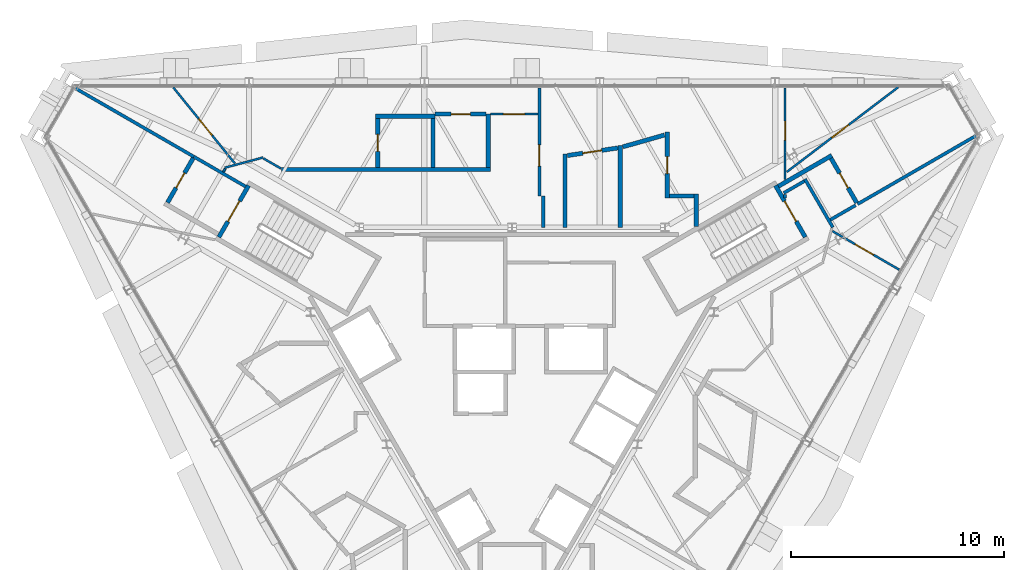
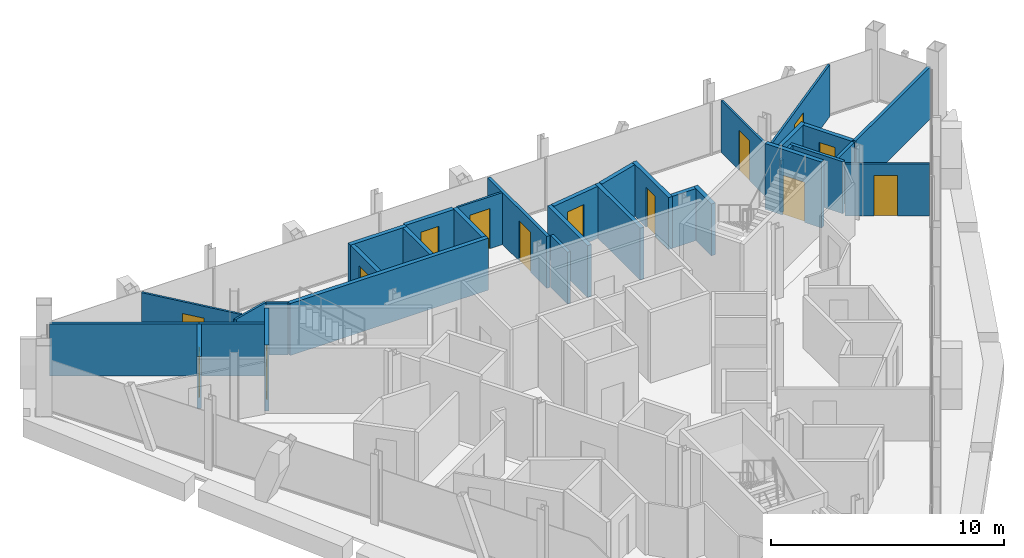
# One storey, part 11 of 14: 35 walls, 14 doors, 14 openings.
"""IFC4 building model written with IfcOpenShell, lengths in metres."""

import ifcopenshell
import ifcopenshell.guid

model = None  # the IFC model being written
_history = None  # IfcOwnerHistory: only IFC2X3 demands one
_inside = {}  # id of a spatial element -> (the spatial element, [elements in it])
_under = {}  # id of a project, library or spatial element -> (it, [spatial elements below it])
_declared = {}  # id of a project -> (the project, [libraries it declares])
_typed = {}  # id of a type object -> (the type object, [elements of that type])
_made_of = {}  # id of a material, layer set ... -> (it, [elements and type objects made of it])


def new_model(schema):
    """Start an empty IFC model of exactly this schema.

    Asked for "IFC4X3", IfcOpenShell would pick the latest addendum, in which some entities
    have other attributes; the version numbers below select the first issue.
    IFC2X3 requires an IfcOwnerHistory on every rooted entity: one is made here for all.
    """
    global model, _history
    if schema == "IFC4X3":
        model = ifcopenshell.file(schema_version=(4, 3, 0, 0))
    else:
        model = ifcopenshell.file(schema=schema)
    _inside.clear()
    _under.clear()
    _declared.clear()
    _typed.clear()
    _made_of.clear()
    _history = None
    if model.schema == "IFC2X3":
        org = make("IfcOrganization", Name="unknown")
        user = make(
            "IfcPersonAndOrganization",
            ThePerson=make("IfcPerson", FamilyName="unknown"),
            TheOrganization=org,
        )
        app = make(
            "IfcApplication",
            ApplicationDeveloper=org,
            Version="unknown",
            ApplicationFullName="unknown",
            ApplicationIdentifier="unknown",
        )
        _history = make(
            "IfcOwnerHistory",
            OwningUser=user,
            OwningApplication=app,
            ChangeAction="ADDED",
            CreationDate=0,
        )
    return model


def make(cls, **values):
    """One entity of the class cls with the attributes given. An attribute that is None is left unset."""
    return model.create_entity(
        cls, **{name: value for name, value in values.items() if value is not None}
    )


def rooted(cls, **values):
    """An entity with a GlobalId (a new one), such as an element, a storey or a relation."""
    return make(cls, GlobalId=ifcopenshell.guid.new(), OwnerHistory=_history, **values)


def si_unit(unit_type, name, prefix=None):
    """IfcSIUnit, for example si_unit("LENGTHUNIT", "METRE", prefix="MILLI")."""
    return make("IfcSIUnit", UnitType=unit_type, Prefix=prefix, Name=name)


def assignment(units):
    """IfcUnitAssignment: the units of a project."""
    return None if units is None else make("IfcUnitAssignment", Units=units)


def point(xyz):
    """IfcCartesianPoint."""
    return None if xyz is None else make("IfcCartesianPoint", Coordinates=xyz)


def direction(xyz):
    """IfcDirection."""
    return None if xyz is None else make("IfcDirection", DirectionRatios=xyz)


def frame(location, z_axis=None, x_axis=None):
    """IfcAxis2Placement3D, a coordinate frame: its origin and axes. An axis left out is left unset."""
    return make(
        "IfcAxis2Placement3D",
        Location=point(location),
        Axis=direction(z_axis),
        RefDirection=direction(x_axis),
    )


def frame_2d(location, x_axis=None):
    """IfcAxis2Placement2D, a coordinate frame in the plane: its origin and x axis."""
    return make(
        "IfcAxis2Placement2D", Location=point(location), RefDirection=direction(x_axis)
    )


def origin():
    """The frame at (0, 0, 0) with its axes left unset."""
    return frame((0.0, 0.0, 0.0))


def place(relative_to, where):
    """IfcLocalPlacement: puts the frame where relative to a parent placement (None: the world)."""
    return make(
        "IfcLocalPlacement", PlacementRelTo=relative_to, RelativePlacement=where
    )


def context(
    kind, dimensions, precision=None, world=None, true_north=None, identifier=None
):
    """IfcGeometricRepresentationContext, for example the 3D "Model" context."""
    return make(
        "IfcGeometricRepresentationContext",
        ContextIdentifier=identifier,
        ContextType=kind,
        CoordinateSpaceDimension=dimensions,
        Precision=precision,
        WorldCoordinateSystem=world,
        TrueNorth=true_north,
    )


def subcontext(parent, identifier, kind, view, scale=None):
    """IfcGeometricRepresentationSubContext, for example "Body" below "Model"."""
    return make(
        "IfcGeometricRepresentationSubContext",
        ContextIdentifier=identifier,
        ContextType=kind,
        ParentContext=parent,
        TargetScale=scale,
        TargetView=view,
    )


def project(units=None, contexts=None):
    """IfcProject with its units and contexts."""
    return rooted(
        "IfcProject",
        Name="project",
        RepresentationContexts=contexts,
        UnitsInContext=assignment(units),
    )


def spatial(cls, under=None, at=None, **own):
    """A site, building, storey or space (cls), placed at a placement, below another one or the project."""
    s = rooted(cls, ObjectPlacement=at, **own)
    if under is not None:
        _under.setdefault(under.id(), (under, []))[1].append(s)
    return s


def profile(cls, at=None, kind="AREA", **sizes):
    """A parametric profile (cls). Its sizes go by their IFC names, for example OverallWidth=200.0."""
    return make(cls, ProfileType=kind, Position=at, **sizes)


def rectangle(**sizes):
    """IfcRectangleProfileDef."""
    return profile("IfcRectangleProfileDef", **sizes)


def extrude(swept, where, along, depth):
    """IfcExtrudedAreaSolid: the profile swept, set in the frame where, extruded along a direction by depth."""
    return make(
        "IfcExtrudedAreaSolid",
        SweptArea=swept,
        Position=where,
        ExtrudedDirection=direction(along),
        Depth=depth,
    )


def shape(context_of_items, identifier, shape_type, items):
    """IfcShapeRepresentation: the items that make up one representation, for example the "Body"."""
    return make(
        "IfcShapeRepresentation",
        ContextOfItems=context_of_items,
        RepresentationIdentifier=identifier,
        RepresentationType=shape_type,
        Items=items,
    )


def material(Name=None, Category=None):
    """IfcMaterial."""
    return make("IfcMaterial", Name=Name, Category=Category)


def layer(
    of_material, thickness, ventilated=None, Name=None, Category=None, Priority=None
):
    """IfcMaterialLayer: one layer of a wall or slab, of a material (None: an air gap)."""
    return make(
        "IfcMaterialLayer",
        Material=of_material,
        LayerThickness=thickness,
        IsVentilated=ventilated,
        Name=Name,
        Category=Category,
        Priority=Priority,
    )


def layer_set(layers, Name=None):
    """IfcMaterialLayerSet."""
    return make("IfcMaterialLayerSet", MaterialLayers=layers, LayerSetName=Name)


def made_of(thing, what):
    """Note that an element or type object is made of a material, layer set ...; save() writes the relation."""
    if what is not None:
        _made_of.setdefault(what.id(), (what, []))[1].append(thing)
    return thing


def type_object(cls, material=None, **own):
    """A type object (cls), such as IfcWallType, which elements share."""
    return made_of(rooted(cls, **own), material)


def element(
    cls,
    number,
    at=None,
    inside=None,
    cuts=None,
    type_object=None,
    material=None,
    context=None,
    identifier="Body",
    shape_type=None,
    held_by="IfcProductDefinitionShape",
    body=None,
    shapes=None,
    **own,
):
    """One element of the class cls, such as IfcWall. Its Tag is "e" and its number.

    at: its placement. inside: the storey or other place that contains it. cuts: it is an
    opening in that element (IfcRelVoidsElement). A single representation is given by context,
    identifier, shape_type and body (its items); several are given by shapes. held_by: the class
    of the entity that holds the representations. save() writes the other relations.
    """
    e = rooted(cls, Tag="e%d" % number, ObjectPlacement=at, **own)
    if body is not None:
        shapes = [shape(context, identifier, shape_type, body)]
    if shapes is not None:
        e.Representation = make(held_by, Representations=shapes)
    if inside is not None:
        _inside.setdefault(inside.id(), (inside, []))[1].append(e)
    if cuts is not None:
        rooted(
            "IfcRelVoidsElement", RelatingBuildingElement=cuts, RelatedOpeningElement=e
        )
    if type_object is not None:
        _typed.setdefault(type_object.id(), (type_object, []))[1].append(e)
    return made_of(e, material)


def fill(opening, filler):
    """IfcRelFillsElement: the door or window that sits in an opening."""
    return rooted(
        "IfcRelFillsElement",
        RelatingOpeningElement=opening,
        RelatedBuildingElement=filler,
    )


def aggregate(whole, parts):
    """IfcRelAggregates: a whole, such as a stair, and the parts it consists of."""
    return rooted("IfcRelAggregates", RelatingObject=whole, RelatedObjects=parts)


def save(model, path):
    """Write the relations noted so far, then the file.

    IfcRelAggregates (storeys below a building ...), IfcRelContainedInSpatialStructure (elements
    in a storey), IfcRelDefinesByType, IfcRelAssociatesMaterial and IfcRelDeclares: one each for
    every whole, place, type object, material and project.
    """
    for whole, parts in _under.values():
        aggregate(whole, parts)
    for where, things in _inside.values():
        rooted(
            "IfcRelContainedInSpatialStructure",
            RelatedElements=things,
            RelatingStructure=where,
        )
    for kind, things in _typed.values():
        rooted("IfcRelDefinesByType", RelatedObjects=things, RelatingType=kind)
    for what, things in _made_of.values():
        rooted("IfcRelAssociatesMaterial", RelatedObjects=things, RelatingMaterial=what)
    for by, libraries in _declared.values():
        rooted("IfcRelDeclares", RelatingContext=by, RelatedDefinitions=libraries)
    model.write(path)


model = new_model("IFC4")

# Units and contexts
model_context = context("Model", 3, precision=1e-05, world=origin(), true_north=direction((0.0, 1.0)))
body_context = subcontext(model_context, "Body", "Model", "MODEL_VIEW")
ifc_project = project(units=[si_unit("LENGTHUNIT", "METRE"), si_unit("AREAUNIT", "SQUARE_METRE"), si_unit("VOLUMEUNIT", "CUBIC_METRE"), si_unit("PLANEANGLEUNIT", "RADIAN"), si_unit("MASSUNIT", "GRAM", prefix="KILO")], contexts=[model_context])

# Site, building, storey
site_placement = place(None, origin())
site = spatial("IfcSite", under=ifc_project, at=site_placement, CompositionType="ELEMENT")
building_placement = place(site_placement, origin())
building = spatial("IfcBuilding", under=site, at=building_placement, Name="Verrane Prism Tower", CompositionType="ELEMENT")
storey_placement = place(building_placement, frame((0.0, 0.0, 293.60009765625)))
storey = spatial("IfcBuildingStorey", under=building, at=storey_placement, Name="L74", CompositionType="ELEMENT", Elevation=293.60009765625)

# Wall, opening, door
ifc_material_1 = material(Name="Concrete C40/50", Category="concrete")
ifc_layer_1 = layer(ifc_material_1, 0.199951171875)
ifc_layer_set_1 = layer_set([ifc_layer_1], Name="CW-200 stair core wall concrete C40/50 3 h")
wall_type_1 = type_object("IfcWallType", Name="CW-200 stair core wall concrete C40/50 3 h", PredefinedType="PARTITIONING", material=ifc_layer_set_1)
wall_1_placement = place(storey_placement, frame((13.777099609375, 6.337646484375, 0.0), z_axis=(0.0, 0.0, 1.0), x_axis=(-0.500049511043, 0.865996816683, 0.0)))
wall_1 = element("IfcWall", 1, at=wall_1_placement, inside=storey, type_object=wall_type_1, Name="Stair 1 enclosure wall", PredefinedType="PARTITIONING", context=body_context, shape_type="SweptSolid", body=[
    extrude(rectangle(XDim=2.800048828125, YDim=0.199951171875, at=frame_2d((1.39990234375, 0.0))), origin(), (0.0, 0.0, 1.0), 3.449951171875),
])
opening_1_placement = place(wall_1_placement, frame((0.849853515625, 0.0, 0.0)))
opening_1 = element("IfcOpeningElement", 2, at=opening_1_placement, cuts=wall_1, Name="Opening D72500", PredefinedType="OPENING", context=body_context, shape_type="SweptSolid", body=[
    extrude(rectangle(XDim=1.10009765625, YDim=2.10009765625, at=frame_2d((0.550048828125, 1.050048828125))), frame((0.0, 0.10986328125, 0.0), z_axis=(0.0, -1.0, 0.0), x_axis=(1.0, 0.0, 0.0)), (0.0, 0.0, 1.0), 0.219970703125),
])
ifc_material_2 = material(Name="Timber veneered door leaf", Category="wood")
door_type_1 = type_object("IfcDoorType", Name="DR-1100x2100 FD90 single leaf stair", OperationType="NOTDEFINED", PredefinedType="DOOR", material=ifc_material_2)
door_1_placement = place(opening_1_placement, origin())
door_1 = element("IfcDoor", 3, at=door_1_placement, inside=storey, type_object=door_type_1, Name="Stair 1 door", OperationType="SINGLE_SWING_LEFT", OverallHeight=2.10009765625, OverallWidth=1.10009765625, PredefinedType="DOOR", context=body_context, shape_type="SweptSolid", body=[
    extrude(rectangle(XDim=1.10009765625, YDim=2.10009765625, at=frame_2d((0.550048828125, 1.050048828125))), frame((0.0, 0.02490234375, 0.0), z_axis=(0.0, -1.0, 0.0), x_axis=(1.0, 0.0, 0.0)), (0.0, 0.0, 1.0), 0.050048828125),
])
fill(opening_1, door_1)

wall_2_placement = place(storey_placement, frame((-12.376953125, 8.762451171875, 0.0), z_axis=(0.0, 0.0, 1.0), x_axis=(-0.500049511043, -0.865996816683, 0.0)))
wall_2 = element("IfcWall", 4, at=wall_2_placement, inside=storey, type_object=wall_type_1, Name="Stair 2 enclosure wall", PredefinedType="PARTITIONING", context=body_context, shape_type="SweptSolid", body=[
    extrude(rectangle(XDim=2.800048828125, YDim=0.199951171875, at=frame_2d((1.39990234375, 0.0))), origin(), (0.0, 0.0, 1.0), 3.449951171875),
])
opening_2_placement = place(wall_2_placement, frame((0.849853515625, 0.0, 0.0)))
opening_2 = element("IfcOpeningElement", 5, at=opening_2_placement, cuts=wall_2, Name="Opening D72501", PredefinedType="OPENING", context=body_context, shape_type="SweptSolid", body=[
    extrude(rectangle(XDim=1.10009765625, YDim=2.10009765625, at=frame_2d((0.550048828125, 1.050048828125))), frame((0.0, 0.10986328125, 0.0), z_axis=(0.0, -1.0, 0.0), x_axis=(1.0, 0.0, 0.0)), (0.0, 0.0, 1.0), 0.219970703125),
])
door_2_placement = place(opening_2_placement, origin())
door_2 = element("IfcDoor", 6, at=door_2_placement, inside=storey, type_object=door_type_1, Name="Stair 2 door", OperationType="SINGLE_SWING_RIGHT", OverallHeight=2.10009765625, OverallWidth=1.10009765625, PredefinedType="DOOR", context=body_context, shape_type="SweptSolid", body=[
    extrude(rectangle(XDim=1.10009765625, YDim=2.10009765625, at=frame_2d((0.550048828125, 1.050048828125))), frame((0.0, 0.02490234375, 0.0), z_axis=(0.0, -1.0, 0.0), x_axis=(1.0, 0.0, 0.0)), (0.0, 0.0, 1.0), 0.050048828125),
])
fill(opening_2, door_2)

ifc_material_3 = material(Name="Gypsum board partition", Category="other")
ifc_layer_2 = layer(ifc_material_3, 0.10009765625)
ifc_layer_set_2 = layer_set([ifc_layer_2], Name="PW-100 room partition")
wall_type_2 = type_object("IfcWallType", Name="PW-100 room partition", PredefinedType="PARTITIONING", material=ifc_layer_set_2)
wall_3_placement = place(storey_placement, frame((-13.021484375, 9.796875, 0.0), z_axis=(0.0, 0.0, 1.0), x_axis=(-0.629738754572, 0.776806990822, 0.0)))
wall_3 = element("IfcWall", 7, at=wall_3_placement, inside=storey, type_object=wall_type_2, Name="Room partition 005", PredefinedType="PARTITIONING", context=body_context, shape_type="SweptSolid", body=[
    extrude(rectangle(XDim=4.598388671875, YDim=0.10009765625, at=frame_2d((2.29931640625, 0.0))), origin(), (0.0, 0.0, 1.0), 2.722900390625),
])
opening_3_placement = place(wall_3_placement, frame((1.705810546875, 0.0, 0.0)))
opening_3 = element("IfcOpeningElement", 8, at=opening_3_placement, cuts=wall_3, Name="Opening D72017", PredefinedType="OPENING", context=body_context, shape_type="SweptSolid", body=[
    extrude(rectangle(XDim=1.0, YDim=2.10009765625, at=frame_2d((0.5, 1.050048828125))), frame((0.0, 0.06005859375, 0.0), z_axis=(0.0, -1.0, 0.0), x_axis=(1.0, 0.0, 0.0)), (0.0, 0.0, 1.0), 0.1201171875),
])
ifc_material_4 = material(Name="Timber veneered door leaf", Category="wood")
door_type_2 = type_object("IfcDoorType", Name="DR-1000x2100 single leaf inner", OperationType="NOTDEFINED", PredefinedType="DOOR", material=ifc_material_4)
door_3_placement = place(opening_3_placement, origin())
door_3 = element("IfcDoor", 9, at=door_3_placement, inside=storey, type_object=door_type_2, Name="Living And Dining Room door", OperationType="SINGLE_SWING_RIGHT", OverallHeight=2.10009765625, OverallWidth=1.0, PredefinedType="DOOR", context=body_context, shape_type="SweptSolid", body=[
    extrude(rectangle(XDim=1.0, YDim=2.10009765625, at=frame_2d((0.5, 1.050048828125))), frame((0.0, 0.02490234375, 0.0), z_axis=(0.0, -1.0, 0.0), x_axis=(1.0, 0.0, 0.0)), (0.0, 0.0, 1.0), 0.050048828125),
])
fill(opening_3, door_3)

# Walls
wall_4_placement = place(storey_placement, frame((-13.5654296875, 9.404052734375, 0.0), z_axis=(0.0, 0.0, 1.0), x_axis=(0.500181256421, 0.865920730047, 0.0)))
element("IfcWall", 10, at=wall_4_placement, inside=storey, type_object=wall_type_2, Name="Room partition 007", PredefinedType="PARTITIONING", context=body_context, shape_type="SweptSolid", body=[
    extrude(rectangle(XDim=0.1689453125, YDim=0.10009765625, at=frame_2d((0.08447265625, 0.0))), origin(), (0.0, 0.0, 1.0), 2.722900390625),
])
wall_5_placement = place(storey_placement, frame((-13.494384765625, 9.59814453125, 0.0), z_axis=(0.0, 0.0, 1.0), x_axis=(0.96601104623, 0.258500790254, 0.0)))
element("IfcWall", 11, at=wall_5_placement, inside=storey, type_object=wall_type_2, Name="Room partition 008", PredefinedType="PARTITIONING", context=body_context, shape_type="SweptSolid", body=[
    extrude(rectangle(XDim=1.8671875, YDim=0.10009765625, at=frame_2d((0.93359375, 0.0))), origin(), (0.0, 0.0, 1.0), 2.722900390625),
])
wall_6_placement = place(storey_placement, frame((-11.678466796875, 10.032958984375, 0.0), z_axis=(0.0, 0.0, 1.0), x_axis=(0.866116627388, -0.499841962787, 0.0)))
element("IfcWall", 12, at=wall_6_placement, inside=storey, type_object=wall_type_2, Name="Room partition 012", PredefinedType="PARTITIONING", context=body_context, shape_type="SweptSolid", body=[
    extrude(rectangle(XDim=0.943115234375, YDim=0.10009765625, at=frame_2d((0.4716796875, 0.0))), origin(), (0.0, 0.0, 1.0), 2.722900390625),
])

# Wall, opening, door
wall_7_placement = place(storey_placement, frame((-1.013916015625, 12.118896484375, 0.0), z_axis=(0.0, 0.0, 1.0), x_axis=(1.0, 0.0, 0.0)))
wall_7 = element("IfcWall", 13, at=wall_7_placement, inside=storey, type_object=wall_type_2, Name="Room partition 040", PredefinedType="PARTITIONING", context=body_context, shape_type="SweptSolid", body=[
    extrude(rectangle(XDim=2.224853515625, YDim=0.10009765625, at=frame_2d((1.1123046875, 0.0))), origin(), (0.0, 0.0, 1.0), 2.722900390625),
])
opening_4_placement = place(wall_7_placement, frame((0.60498046875, 0.0, 0.0)))
opening_4 = element("IfcOpeningElement", 14, at=opening_4_placement, cuts=wall_7, Name="Opening D72015", PredefinedType="OPENING", context=body_context, shape_type="SweptSolid", body=[
    extrude(rectangle(XDim=1.0, YDim=2.10009765625, at=frame_2d((0.5, 1.050048828125))), frame((0.0, 0.06005859375, 0.0), z_axis=(0.0, -1.0, 0.0), x_axis=(1.0, 0.0, 0.0)), (0.0, 0.0, 1.0), 0.1201171875),
])
door_4_placement = place(opening_4_placement, origin())
door_4 = element("IfcDoor", 15, at=door_4_placement, inside=storey, type_object=door_type_2, Name="Entrance Foyer door", OperationType="SINGLE_SWING_LEFT", OverallHeight=2.10009765625, OverallWidth=1.0, PredefinedType="DOOR", context=body_context, shape_type="SweptSolid", body=[
    extrude(rectangle(XDim=1.0, YDim=2.10009765625, at=frame_2d((0.5, 1.050048828125))), frame((0.0, 0.02490234375, 0.0), z_axis=(0.0, -1.0, 0.0), x_axis=(1.0, 0.0, 0.0)), (0.0, 0.0, 1.0), 0.050048828125),
])
fill(opening_4, door_4)

wall_8_placement = place(storey_placement, frame((12.8310546875, 13.35107421875, 0.0), z_axis=(0.0, 0.0, 1.0), x_axis=(0.0, -1.0, 0.0)))
wall_8 = element("IfcWall", 16, at=wall_8_placement, inside=storey, type_object=wall_type_2, Name="Room partition 075", PredefinedType="PARTITIONING", context=body_context, shape_type="SweptSolid", body=[
    extrude(rectangle(XDim=4.297607421875, YDim=0.10009765625, at=frame_2d((2.14892578125, 0.0))), origin(), (0.0, 0.0, 1.0), 2.722900390625),
])
opening_5_placement = place(wall_8_placement, frame((1.56005859375, 0.0, 0.0)))
opening_5 = element("IfcOpeningElement", 17, at=opening_5_placement, cuts=wall_8, Name="Opening D72009", PredefinedType="OPENING", context=body_context, shape_type="SweptSolid", body=[
    extrude(rectangle(XDim=0.89990234375, YDim=2.10009765625, at=frame_2d((0.449951171875, 1.050048828125))), frame((0.0, 0.06005859375, 0.0), z_axis=(0.0, -1.0, 0.0), x_axis=(1.0, 0.0, 0.0)), (0.0, 0.0, 1.0), 0.1201171875),
])
ifc_material_5 = material(Name="Timber veneered door leaf", Category="wood")
door_type_3 = type_object("IfcDoorType", Name="DR-900x2100 single leaf inner", OperationType="NOTDEFINED", PredefinedType="DOOR", material=ifc_material_5)
door_5_placement = place(opening_5_placement, origin())
door_5 = element("IfcDoor", 18, at=door_5_placement, inside=storey, type_object=door_type_3, Name="Living And Dining Room door", OperationType="SINGLE_SWING_RIGHT", OverallHeight=2.10009765625, OverallWidth=0.89990234375, PredefinedType="DOOR", context=body_context, shape_type="SweptSolid", body=[
    extrude(rectangle(XDim=0.89990234375, YDim=2.10009765625, at=frame_2d((0.449951171875, 1.050048828125))), frame((0.0, 0.02490234375, 0.0), z_axis=(0.0, -1.0, 0.0), x_axis=(1.0, 0.0, 0.0)), (0.0, 0.0, 1.0), 0.050048828125),
])
fill(opening_5, door_5)

wall_9_placement = place(storey_placement, frame((18.1435546875, 13.382568359375, 0.0), z_axis=(0.0, 0.0, 1.0), x_axis=(-0.795867985115, -0.605470189414, 0.0)))
wall_9 = element("IfcWall", 19, at=wall_9_placement, inside=storey, type_object=wall_type_2, Name="Room partition 076", PredefinedType="PARTITIONING", context=body_context, shape_type="SweptSolid", body=[
    extrude(rectangle(XDim=6.57421875, YDim=0.10009765625, at=frame_2d((3.287109375, 0.0))), origin(), (0.0, 0.0, 1.0), 2.722900390625),
])
opening_6_placement = place(wall_9_placement, frame((2.925048828125, 0.0, 0.0)))
opening_6 = element("IfcOpeningElement", 20, at=opening_6_placement, cuts=wall_9, Name="Opening D72013", PredefinedType="OPENING", context=body_context, shape_type="SweptSolid", body=[
    extrude(rectangle(XDim=1.0, YDim=2.10009765625, at=frame_2d((0.5, 1.050048828125))), frame((0.0, 0.06005859375, 0.0), z_axis=(0.0, -1.0, 0.0), x_axis=(1.0, 0.0, 0.0)), (0.0, 0.0, 1.0), 0.1201171875),
])
door_6_placement = place(opening_6_placement, origin())
door_6 = element("IfcDoor", 21, at=door_6_placement, inside=storey, type_object=door_type_2, Name="Study door", OperationType="SINGLE_SWING_RIGHT", OverallHeight=2.10009765625, OverallWidth=1.0, PredefinedType="DOOR", context=body_context, shape_type="SweptSolid", body=[
    extrude(rectangle(XDim=1.0, YDim=2.10009765625, at=frame_2d((0.5, 1.050048828125))), frame((0.0, 0.02490234375, 0.0), z_axis=(0.0, -1.0, 0.0), x_axis=(1.0, 0.0, 0.0)), (0.0, 0.0, 1.0), 0.050048828125),
])
fill(opening_6, door_6)

wall_10_placement = place(storey_placement, frame((15.052490234375, 6.620361328125, 0.0), z_axis=(0.0, 0.0, 1.0), x_axis=(0.866029693906, -0.499992569217, 0.0)))
wall_10 = element("IfcWall", 22, at=wall_10_placement, inside=storey, type_object=wall_type_2, Name="Room partition 081", PredefinedType="PARTITIONING", context=body_context, shape_type="SweptSolid", body=[
    extrude(rectangle(XDim=3.625, YDim=0.10009765625, at=frame_2d((1.8125, 0.0))), origin(), (0.0, 0.0, 1.0), 2.722900390625),
])
opening_7_placement = place(wall_10_placement, frame((1.23486328125, 0.0, 0.0)))
opening_7 = element("IfcOpeningElement", 23, at=opening_7_placement, cuts=wall_10, Name="Opening D72007", PredefinedType="OPENING", context=body_context, shape_type="SweptSolid", body=[
    extrude(rectangle(XDim=1.0, YDim=2.10009765625, at=frame_2d((0.5, 1.050048828125))), frame((0.0, 0.06005859375, 0.0), z_axis=(0.0, -1.0, 0.0), x_axis=(1.0, 0.0, 0.0)), (0.0, 0.0, 1.0), 0.1201171875),
])
door_7_placement = place(opening_7_placement, origin())
door_7 = element("IfcDoor", 24, at=door_7_placement, inside=storey, type_object=door_type_2, Name="Living And Dining Room door", OperationType="SINGLE_SWING_LEFT", OverallHeight=2.10009765625, OverallWidth=1.0, PredefinedType="DOOR", context=body_context, shape_type="SweptSolid", body=[
    extrude(rectangle(XDim=1.0, YDim=2.10009765625, at=frame_2d((0.5, 1.050048828125))), frame((0.0, 0.02490234375, 0.0), z_axis=(0.0, -1.0, 0.0), x_axis=(1.0, 0.0, 0.0)), (0.0, 0.0, 1.0), 0.050048828125),
])
fill(opening_7, door_7)

# Walls
ifc_material_6 = material(Name="Gypsum board partition", Category="other")
ifc_layer_3 = layer(ifc_material_6, 0.14990234375)
ifc_layer_set_3 = layer_set([ifc_layer_3], Name="PW-150 demising wall 1 h")
wall_type_3 = type_object("IfcWallType", Name="PW-150 demising wall 1 h", PredefinedType="PARTITIONING", material=ifc_layer_set_3)
wall_11_placement = place(storey_placement, frame((-20.505859375, 13.323974609375, 0.0), z_axis=(0.0, 0.0, 1.0), x_axis=(0.866004971522, -0.500035388047, 0.0)))
element("IfcWall", 25, at=wall_11_placement, inside=storey, type_object=wall_type_3, Name="Demising wall 001", PredefinedType="PARTITIONING", context=body_context, shape_type="SweptSolid", body=[
    extrude(rectangle(XDim=6.41552734375, YDim=0.14990234375, at=frame_2d((3.207763671875, 0.0))), origin(), (0.0, 0.0, 1.0), 2.722900390625),
])
wall_12_placement = place(storey_placement, frame((-14.945068359375, 10.114013671875, 0.0), z_axis=(0.0, 0.0, 1.0), x_axis=(0.865969158485, -0.500097407065, 0.0)))
element("IfcWall", 26, at=wall_12_placement, inside=storey, type_object=wall_type_3, Name="Demising wall 006", PredefinedType="PARTITIONING", context=body_context, shape_type="SweptSolid", body=[
    extrude(rectangle(XDim=2.79931640625, YDim=0.14990234375, at=frame_2d((1.399658203125, 0.0))), origin(), (0.0, 0.0, 1.0), 2.722900390625),
])

# Wall, opening, door
wall_13_placement = place(storey_placement, frame((1.285888671875, 13.35107421875, 0.0), z_axis=(0.0, 0.0, 1.0), x_axis=(0.0, -1.0, 0.0)))
wall_13 = element("IfcWall", 27, at=wall_13_placement, inside=storey, type_object=wall_type_3, Name="Demising wall 042", PredefinedType="PARTITIONING", context=body_context, shape_type="SweptSolid", body=[
    extrude(rectangle(XDim=5.08203125, YDim=0.14990234375, at=frame_2d((2.541015625, 0.0))), origin(), (0.0, 0.0, 1.0), 2.722900390625),
])
opening_8_placement = place(wall_13_placement, frame((2.681884765625, 0.0, 0.0)))
opening_8 = element("IfcOpeningElement", 28, at=opening_8_placement, cuts=wall_13, Name="Opening D72011", PredefinedType="OPENING", context=body_context, shape_type="SweptSolid", body=[
    extrude(rectangle(XDim=1.0, YDim=2.10009765625, at=frame_2d((0.5, 1.050048828125))), frame((0.0, 0.0849609375, 0.0), z_axis=(0.0, -1.0, 0.0), x_axis=(1.0, 0.0, 0.0)), (0.0, 0.0, 1.0), 0.169921875),
])
ifc_material_7 = material(Name="Timber veneered door leaf", Category="wood")
door_type_4 = type_object("IfcDoorType", Name="DR-1000x2100 FD20 single leaf inner", OperationType="NOTDEFINED", PredefinedType="DOOR", material=ifc_material_7)
door_8_placement = place(opening_8_placement, origin())
door_8 = element("IfcDoor", 29, at=door_8_placement, inside=storey, type_object=door_type_4, Name="Entrance Foyer door", OperationType="SINGLE_SWING_RIGHT", OverallHeight=2.10009765625, OverallWidth=1.0, PredefinedType="DOOR", context=body_context, shape_type="SweptSolid", body=[
    extrude(rectangle(XDim=1.0, YDim=2.10009765625, at=frame_2d((0.5, 1.050048828125))), frame((0.0, 0.02490234375, 0.0), z_axis=(0.0, -1.0, 0.0), x_axis=(1.0, 0.0, 0.0)), (0.0, 0.0, 1.0), 0.050048828125),
])
fill(opening_8, door_8)

# Walls
wall_14_placement = place(storey_placement, frame((1.468994140625, 6.800048828125, 0.0), z_axis=(0.0, 0.0, 1.0), x_axis=(0.0, 1.0, 0.0)))
element("IfcWall", 30, at=wall_14_placement, inside=storey, type_object=wall_type_3, Name="Demising wall 044", PredefinedType="PARTITIONING", context=body_context, shape_type="SweptSolid", body=[
    extrude(rectangle(XDim=1.468994140625, YDim=0.14990234375, at=frame_2d((0.734375, 0.0))), origin(), (0.0, 0.0, 1.0), 2.722900390625),
])
wall_15_placement = place(storey_placement, frame((12.8310546875, 8.177001953125, 0.0), z_axis=(0.0, 0.0, 1.0), x_axis=(0.0, 1.0, 0.0)))
element("IfcWall", 31, at=wall_15_placement, inside=storey, type_object=wall_type_3, Name="Demising wall 073", PredefinedType="PARTITIONING", context=body_context, shape_type="SweptSolid", body=[
    extrude(rectangle(XDim=0.169921875, YDim=0.14990234375, at=frame_2d((0.0849609375, 0.0))), origin(), (0.0, 0.0, 1.0), 2.722900390625),
])
wall_16_placement = place(storey_placement, frame((12.76611328125, 8.409423828125, 0.0), z_axis=(0.0, 0.0, 1.0), x_axis=(0.865995823051, 0.500051231833, 0.0)))
element("IfcWall", 32, at=wall_16_placement, inside=storey, type_object=wall_type_3, Name="Demising wall 074", PredefinedType="PARTITIONING", context=body_context, shape_type="SweptSolid", body=[
    extrude(rectangle(XDim=1.1142578125, YDim=0.14990234375, at=frame_2d((0.55712890625, 0.0))), origin(), (0.0, 0.0, 1.0), 2.722900390625),
])
wall_17_placement = place(storey_placement, frame((13.758544921875, 9.06884765625, 0.0), z_axis=(0.0, 0.0, 1.0), x_axis=(0.500020344131, -0.866013657776, 0.0)))
element("IfcWall", 33, at=wall_17_placement, inside=storey, type_object=wall_type_3, Name="Demising wall 077", PredefinedType="PARTITIONING", context=body_context, shape_type="SweptSolid", body=[
    extrude(rectangle(XDim=2.625, YDim=0.14990234375, at=frame_2d((1.3125, 0.0))), origin(), (0.0, 0.0, 1.0), 2.722900390625),
])
wall_18_placement = place(storey_placement, frame((14.953857421875, 7.1494140625, 0.0), z_axis=(0.0, 0.0, 1.0), x_axis=(0.865960792519, 0.5001118933, 0.0)))
element("IfcWall", 34, at=wall_18_placement, inside=storey, type_object=wall_type_3, Name="Demising wall 079", PredefinedType="PARTITIONING", context=body_context, shape_type="SweptSolid", body=[
    extrude(rectangle(XDim=1.374755859375, YDim=0.14990234375, at=frame_2d((0.6875, 0.0))), origin(), (0.0, 0.0, 1.0), 2.722900390625),
])
wall_19_placement = place(storey_placement, frame((16.236083984375, 7.888916015625, 0.0), z_axis=(0.0, 0.0, 1.0), x_axis=(0.865995456094, 0.500051867335, 0.0)))
element("IfcWall", 35, at=wall_19_placement, inside=storey, type_object=wall_type_3, Name="Demising wall 082", PredefinedType="PARTITIONING", context=body_context, shape_type="SweptSolid", body=[
    extrude(rectangle(XDim=6.415283203125, YDim=0.14990234375, at=frame_2d((3.20751953125, 0.0))), origin(), (0.0, 0.0, 1.0), 2.722900390625),
])

# Wall, opening, door
ifc_material_8 = material(Name="Gypsum board partition", Category="other")
ifc_layer_4 = layer(ifc_material_8, 0.199951171875)
ifc_layer_set_4 = layer_set([ifc_layer_4], Name="PW-200 plumbing wall")
wall_type_4 = type_object("IfcWallType", Name="PW-200 plumbing wall", PredefinedType="PARTITIONING", material=ifc_layer_set_4)
wall_20_placement = place(storey_placement, frame((-14.985107421875, 10.044677734375, 0.0), z_axis=(0.0, 0.0, 1.0), x_axis=(-0.499903970786, -0.866080839178, 0.0)))
wall_20 = element("IfcWall", 36, at=wall_20_placement, inside=storey, type_object=wall_type_4, Name="Plumbing wall 003", PredefinedType="PARTITIONING", context=body_context, shape_type="SweptSolid", body=[
    extrude(rectangle(XDim=2.40625, YDim=0.199951171875, at=frame_2d((1.203125, 0.0))), origin(), (0.0, 0.0, 1.0), 2.722900390625),
])
opening_9_placement = place(wall_20_placement, frame((0.806396484375, 0.0, 0.0)))
opening_9 = element("IfcOpeningElement", 37, at=opening_9_placement, cuts=wall_20, Name="Opening D72022", PredefinedType="OPENING", context=body_context, shape_type="SweptSolid", body=[
    extrude(rectangle(XDim=0.800048828125, YDim=2.10009765625, at=frame_2d((0.39990234375, 1.050048828125))), frame((0.0, 0.10986328125, 0.0), z_axis=(0.0, -1.0, 0.0), x_axis=(1.0, 0.0, 0.0)), (0.0, 0.0, 1.0), 0.219970703125),
])
ifc_material_9 = material(Name="Timber veneered door leaf", Category="wood")
door_type_5 = type_object("IfcDoorType", Name="DR-800x2100 single leaf bath", OperationType="NOTDEFINED", PredefinedType="DOOR", material=ifc_material_9)
door_9_placement = place(opening_9_placement, origin())
door_9 = element("IfcDoor", 38, at=door_9_placement, inside=storey, type_object=door_type_5, Name="Master Bathroom door", OperationType="SINGLE_SWING_LEFT", OverallHeight=2.10009765625, OverallWidth=0.800048828125, PredefinedType="DOOR", context=body_context, shape_type="SweptSolid", body=[
    extrude(rectangle(XDim=0.800048828125, YDim=2.10009765625, at=frame_2d((0.39990234375, 1.050048828125))), frame((0.0, 0.02490234375, 0.0), z_axis=(0.0, -1.0, 0.0), x_axis=(1.0, 0.0, 0.0)), (0.0, 0.0, 1.0), 0.050048828125),
])
fill(opening_9, door_9)

# Wall
wall_21_placement = place(storey_placement, frame((-10.837890625, 9.51904296875, 0.0), z_axis=(0.0, 0.0, 1.0), x_axis=(1.0, 0.0, 0.0)))
element("IfcWall", 39, at=wall_21_placement, inside=storey, type_object=wall_type_4, Name="Plumbing wall 016", PredefinedType="PARTITIONING", context=body_context, shape_type="SweptSolid", body=[
    extrude(rectangle(XDim=9.823974609375, YDim=0.199951171875, at=frame_2d((4.912109375, 0.0))), origin(), (0.0, 0.0, 1.0), 2.722900390625),
])

# Wall, opening, door
wall_22_placement = place(storey_placement, frame((-6.31396484375, 11.9189453125, 0.0), z_axis=(0.0, 0.0, 1.0), x_axis=(0.0, -1.0, 0.0)))
wall_22 = element("IfcWall", 40, at=wall_22_placement, inside=storey, type_object=wall_type_4, Name="Plumbing wall 025", PredefinedType="PARTITIONING", context=body_context, shape_type="SweptSolid", body=[
    extrude(rectangle(XDim=2.300048828125, YDim=0.199951171875, at=frame_2d((1.14990234375, 0.0))), origin(), (0.0, 0.0, 1.0), 2.722900390625),
])
opening_10_placement = place(wall_22_placement, frame((0.75, 0.0, 0.0)))
opening_10 = element("IfcOpeningElement", 41, at=opening_10_placement, cuts=wall_22, Name="Opening D72018", PredefinedType="OPENING", context=body_context, shape_type="SweptSolid", body=[
    extrude(rectangle(XDim=0.800048828125, YDim=2.10009765625, at=frame_2d((0.39990234375, 1.050048828125))), frame((0.0, 0.10986328125, 0.0), z_axis=(0.0, -1.0, 0.0), x_axis=(1.0, 0.0, 0.0)), (0.0, 0.0, 1.0), 0.219970703125),
])
ifc_material_10 = material(Name="Timber veneered door leaf", Category="wood")
door_type_6 = type_object("IfcDoorType", Name="DR-800x2100 single leaf inner", OperationType="NOTDEFINED", PredefinedType="DOOR", material=ifc_material_10)
door_10_placement = place(opening_10_placement, origin())
door_10 = element("IfcDoor", 42, at=door_10_placement, inside=storey, type_object=door_type_6, Name="Bathroom door", OperationType="SINGLE_SWING_LEFT", OverallHeight=2.10009765625, OverallWidth=0.800048828125, PredefinedType="DOOR", context=body_context, shape_type="SweptSolid", body=[
    extrude(rectangle(XDim=0.800048828125, YDim=2.10009765625, at=frame_2d((0.39990234375, 1.050048828125))), frame((0.0, 0.02490234375, 0.0), z_axis=(0.0, -1.0, 0.0), x_axis=(1.0, 0.0, 0.0)), (0.0, 0.0, 1.0), 0.050048828125),
])
fill(opening_10, door_10)

# Walls
wall_23_placement = place(storey_placement, frame((-6.4140625, 12.01904296875, 0.0), z_axis=(0.0, 0.0, 1.0), x_axis=(1.0, 0.0, 0.0)))
element("IfcWall", 43, at=wall_23_placement, inside=storey, type_object=wall_type_4, Name="Plumbing wall 026", PredefinedType="PARTITIONING", context=body_context, shape_type="SweptSolid", body=[
    extrude(rectangle(XDim=2.800048828125, YDim=0.199951171875, at=frame_2d((1.39990234375, 0.0))), origin(), (0.0, 0.0, 1.0), 2.722900390625),
])
wall_24_placement = place(storey_placement, frame((-3.714111328125, 9.618896484375, 0.0), z_axis=(0.0, 0.0, 1.0), x_axis=(0.0, 1.0, 0.0)))
element("IfcWall", 44, at=wall_24_placement, inside=storey, type_object=wall_type_4, Name="Plumbing wall 031", PredefinedType="PARTITIONING", context=body_context, shape_type="SweptSolid", body=[
    extrude(rectangle(XDim=2.300048828125, YDim=0.199951171875, at=frame_2d((1.14990234375, 0.0))), origin(), (0.0, 0.0, 1.0), 2.722900390625),
])

# Wall, opening, door
wall_25_placement = place(storey_placement, frame((-1.214111328125, 12.118896484375, 0.0), z_axis=(0.0, 0.0, 1.0), x_axis=(-1.0, 0.0, 0.0)))
wall_25 = element("IfcWall", 45, at=wall_25_placement, inside=storey, type_object=wall_type_4, Name="Plumbing wall 032", PredefinedType="PARTITIONING", context=body_context, shape_type="SweptSolid", body=[
    extrude(rectangle(XDim=2.39990234375, YDim=0.199951171875, at=frame_2d((1.199951171875, 0.0))), origin(), (0.0, 0.0, 1.0), 2.722900390625),
])
opening_11_placement = place(wall_25_placement, frame((0.75, 0.0, 0.0)))
opening_11 = element("IfcOpeningElement", 46, at=opening_11_placement, cuts=wall_25, Name="Opening D72016", PredefinedType="OPENING", context=body_context, shape_type="SweptSolid", body=[
    extrude(rectangle(XDim=0.89990234375, YDim=2.10009765625, at=frame_2d((0.449951171875, 1.050048828125))), frame((0.0, 0.10986328125, 0.0), z_axis=(0.0, -1.0, 0.0), x_axis=(1.0, 0.0, 0.0)), (0.0, 0.0, 1.0), 0.219970703125),
])
door_11_placement = place(opening_11_placement, origin())
door_11 = element("IfcDoor", 47, at=door_11_placement, inside=storey, type_object=door_type_3, Name="Kitchen door", OperationType="SINGLE_SWING_LEFT", OverallHeight=2.10009765625, OverallWidth=0.89990234375, PredefinedType="DOOR", context=body_context, shape_type="SweptSolid", body=[
    extrude(rectangle(XDim=0.89990234375, YDim=2.10009765625, at=frame_2d((0.449951171875, 1.050048828125))), frame((0.0, 0.02490234375, 0.0), z_axis=(0.0, -1.0, 0.0), x_axis=(1.0, 0.0, 0.0)), (0.0, 0.0, 1.0), 0.050048828125),
])
fill(opening_11, door_11)

# Walls
wall_26_placement = place(storey_placement, frame((-1.114013671875, 9.618896484375, 0.0), z_axis=(0.0, 0.0, 1.0), x_axis=(0.0, 1.0, 0.0)))
element("IfcWall", 48, at=wall_26_placement, inside=storey, type_object=wall_type_4, Name="Plumbing wall 039", PredefinedType="PARTITIONING", context=body_context, shape_type="SweptSolid", body=[
    extrude(rectangle(XDim=2.5, YDim=0.199951171875, at=frame_2d((1.25, 0.0))), origin(), (0.0, 0.0, 1.0), 2.722900390625),
])
wall_27_placement = place(storey_placement, frame((2.486083984375, 6.800048828125, 0.0), z_axis=(0.0, 0.0, 1.0), x_axis=(0.0, 1.0, 0.0)))
element("IfcWall", 49, at=wall_27_placement, inside=storey, type_object=wall_type_4, Name="Plumbing wall 047", PredefinedType="PARTITIONING", context=body_context, shape_type="SweptSolid", body=[
    extrude(rectangle(XDim=3.452880859375, YDim=0.199951171875, at=frame_2d((1.7265625, 0.0))), origin(), (0.0, 0.0, 1.0), 2.722900390625),
])

# Wall, opening, door
wall_28_placement = place(storey_placement, frame((4.97216796875, 10.52783203125, 0.0), z_axis=(0.0, 0.0, 1.0), x_axis=(-0.988827119235, -0.149066858374, 0.0)))
wall_28 = element("IfcWall", 50, at=wall_28_placement, inside=storey, type_object=wall_type_4, Name="Plumbing wall 048", PredefinedType="PARTITIONING", context=body_context, shape_type="SweptSolid", body=[
    extrude(rectangle(XDim=2.3994140625, YDim=0.199951171875, at=frame_2d((1.19970703125, 0.0))), origin(), (0.0, 0.0, 1.0), 2.722900390625),
])
opening_12_placement = place(wall_28_placement, frame((0.764404296875, 0.0, 0.0)))
opening_12 = element("IfcOpeningElement", 51, at=opening_12_placement, cuts=wall_28, Name="Opening D72012", PredefinedType="OPENING", context=body_context, shape_type="SweptSolid", body=[
    extrude(rectangle(XDim=0.89990234375, YDim=2.10009765625, at=frame_2d((0.449951171875, 1.050048828125))), frame((0.0, 0.10986328125, 0.0), z_axis=(0.0, -1.0, 0.0), x_axis=(1.0, 0.0, 0.0)), (0.0, 0.0, 1.0), 0.219970703125),
])
door_12_placement = place(opening_12_placement, origin())
door_12 = element("IfcDoor", 52, at=door_12_placement, inside=storey, type_object=door_type_3, Name="Kitchen door", OperationType="SINGLE_SWING_LEFT", OverallHeight=2.10009765625, OverallWidth=0.89990234375, PredefinedType="DOOR", context=body_context, shape_type="SweptSolid", body=[
    extrude(rectangle(XDim=0.89990234375, YDim=2.10009765625, at=frame_2d((0.449951171875, 1.050048828125))), frame((0.0, 0.02490234375, 0.0), z_axis=(0.0, -1.0, 0.0), x_axis=(1.0, 0.0, 0.0)), (0.0, 0.0, 1.0), 0.050048828125),
])
fill(opening_12, door_12)

# Walls
wall_29_placement = place(storey_placement, frame((5.0859375, 6.800048828125, 0.0), z_axis=(0.0, 0.0, 1.0), x_axis=(0.0, 1.0, 0.0)))
element("IfcWall", 53, at=wall_29_placement, inside=storey, type_object=wall_type_4, Name="Plumbing wall 054", PredefinedType="PARTITIONING", context=body_context, shape_type="SweptSolid", body=[
    extrude(rectangle(XDim=3.844970703125, YDim=0.199951171875, at=frame_2d((1.92236328125, 0.0))), origin(), (0.0, 0.0, 1.0), 2.722900390625),
])
wall_30_placement = place(storey_placement, frame((5.206298828125, 10.5791015625, 0.0), z_axis=(0.0, 0.0, 1.0), x_axis=(0.962043687615, 0.272895480212, 0.0)))
element("IfcWall", 54, at=wall_30_placement, inside=storey, type_object=wall_type_4, Name="Plumbing wall 055", PredefinedType="PARTITIONING", context=body_context, shape_type="SweptSolid", body=[
    extrude(rectangle(XDim=2.03173828125, YDim=0.199951171875, at=frame_2d((1.015869140625, 0.0))), origin(), (0.0, 0.0, 1.0), 2.722900390625),
])

# Wall, opening, door
wall_31_placement = place(storey_placement, frame((7.285888671875, 8.1689453125, 0.0), z_axis=(0.0, 0.0, 1.0), x_axis=(0.0, 1.0, 0.0)))
wall_31 = element("IfcWall", 55, at=wall_31_placement, inside=storey, type_object=wall_type_4, Name="Plumbing wall 056", PredefinedType="PARTITIONING", context=body_context, shape_type="SweptSolid", body=[
    extrude(rectangle(XDim=3.10009765625, YDim=0.199951171875, at=frame_2d((1.550048828125, 0.0))), origin(), (0.0, 0.0, 1.0), 2.722900390625),
])
opening_13_placement = place(wall_31_placement, frame((1.14990234375, 0.0, 0.0)))
opening_13 = element("IfcOpeningElement", 56, at=opening_13_placement, cuts=wall_31, Name="Opening D72010", PredefinedType="OPENING", context=body_context, shape_type="SweptSolid", body=[
    extrude(rectangle(XDim=0.800048828125, YDim=2.10009765625, at=frame_2d((0.39990234375, 1.050048828125))), frame((0.0, 0.10986328125, 0.0), z_axis=(0.0, -1.0, 0.0), x_axis=(1.0, 0.0, 0.0)), (0.0, 0.0, 1.0), 0.219970703125),
])
door_13_placement = place(opening_13_placement, origin())
door_13 = element("IfcDoor", 57, at=door_13_placement, inside=storey, type_object=door_type_6, Name="Powder Room door", OperationType="SINGLE_SWING_RIGHT", OverallHeight=2.10009765625, OverallWidth=0.800048828125, PredefinedType="DOOR", context=body_context, shape_type="SweptSolid", body=[
    extrude(rectangle(XDim=0.800048828125, YDim=2.10009765625, at=frame_2d((0.39990234375, 1.050048828125))), frame((0.0, 0.02490234375, 0.0), z_axis=(0.0, -1.0, 0.0), x_axis=(1.0, 0.0, 0.0)), (0.0, 0.0, 1.0), 0.050048828125),
])
fill(opening_13, door_13)

# Walls
wall_32_placement = place(storey_placement, frame((7.385986328125, 8.26904296875, 0.0), z_axis=(0.0, 0.0, 1.0), x_axis=(1.0, 0.0, 0.0)))
element("IfcWall", 58, at=wall_32_placement, inside=storey, type_object=wall_type_4, Name="Plumbing wall 057", PredefinedType="PARTITIONING", context=body_context, shape_type="SweptSolid", body=[
    extrude(rectangle(XDim=1.1630859375, YDim=0.199951171875, at=frame_2d((0.58154296875, 0.0))), origin(), (0.0, 0.0, 1.0), 2.722900390625),
])
wall_33_placement = place(storey_placement, frame((8.64892578125, 6.841064453125, 0.0), z_axis=(0.0, 0.0, 1.0), x_axis=(0.0, 1.0, 0.0)))
element("IfcWall", 59, at=wall_33_placement, inside=storey, type_object=wall_type_4, Name="Plumbing wall 064", PredefinedType="PARTITIONING", context=body_context, shape_type="SweptSolid", body=[
    extrude(rectangle(XDim=1.52783203125, YDim=0.199951171875, at=frame_2d((0.763916015625, 0.0))), origin(), (0.0, 0.0, 1.0), 2.722900390625),
])
wall_34_placement = place(storey_placement, frame((12.513916015625, 8.72607421875, 0.0), z_axis=(0.0, 0.0, 1.0), x_axis=(0.865969617579, 0.500096612097, 0.0)))
element("IfcWall", 60, at=wall_34_placement, inside=storey, type_object=wall_type_4, Name="Plumbing wall 072", PredefinedType="PARTITIONING", context=body_context, shape_type="SweptSolid", body=[
    extrude(rectangle(XDim=2.8994140625, YDim=0.199951171875, at=frame_2d((1.44970703125, 0.0))), origin(), (0.0, 0.0, 1.0), 2.722900390625),
])

# Wall, opening, door
wall_35_placement = place(storey_placement, frame((16.193603515625, 7.951904296875, 0.0), z_axis=(0.0, 0.0, 1.0), x_axis=(-0.500125724882, 0.865952804321, 0.0)))
wall_35 = element("IfcWall", 61, at=wall_35_placement, inside=storey, type_object=wall_type_4, Name="Plumbing wall 080", PredefinedType="PARTITIONING", context=body_context, shape_type="SweptSolid", body=[
    extrude(rectangle(XDim=2.41064453125, YDim=0.199951171875, at=frame_2d((1.205322265625, 0.0))), origin(), (0.0, 0.0, 1.0), 2.722900390625),
])
opening_14_placement = place(wall_35_placement, frame((0.810546875, 0.0, 0.0)))
opening_14 = element("IfcOpeningElement", 62, at=opening_14_placement, cuts=wall_35, Name="Opening D72014", PredefinedType="OPENING", context=body_context, shape_type="SweptSolid", body=[
    extrude(rectangle(XDim=0.800048828125, YDim=2.10009765625, at=frame_2d((0.39990234375, 1.050048828125))), frame((0.0, 0.10986328125, 0.0), z_axis=(0.0, -1.0, 0.0), x_axis=(1.0, 0.0, 0.0)), (0.0, 0.0, 1.0), 0.219970703125),
])
door_14_placement = place(opening_14_placement, origin())
door_14 = element("IfcDoor", 63, at=door_14_placement, inside=storey, type_object=door_type_5, Name="Master Bathroom door", OperationType="SINGLE_SWING_LEFT", OverallHeight=2.10009765625, OverallWidth=0.800048828125, PredefinedType="DOOR", context=body_context, shape_type="SweptSolid", body=[
    extrude(rectangle(XDim=0.800048828125, YDim=2.10009765625, at=frame_2d((0.39990234375, 1.050048828125))), frame((0.0, 0.02490234375, 0.0), z_axis=(0.0, -1.0, 0.0), x_axis=(1.0, 0.0, 0.0)), (0.0, 0.0, 1.0), 0.050048828125),
])
fill(opening_14, door_14)

save(model, "model.ifc")
